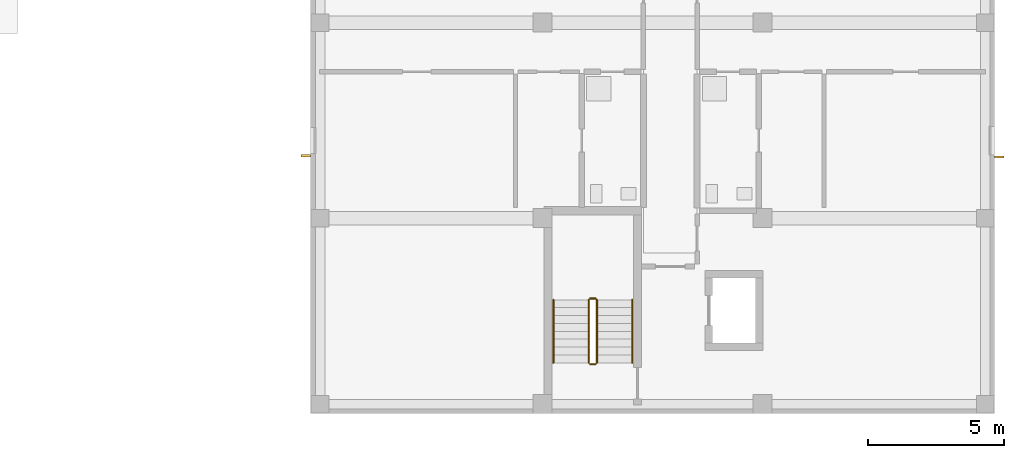
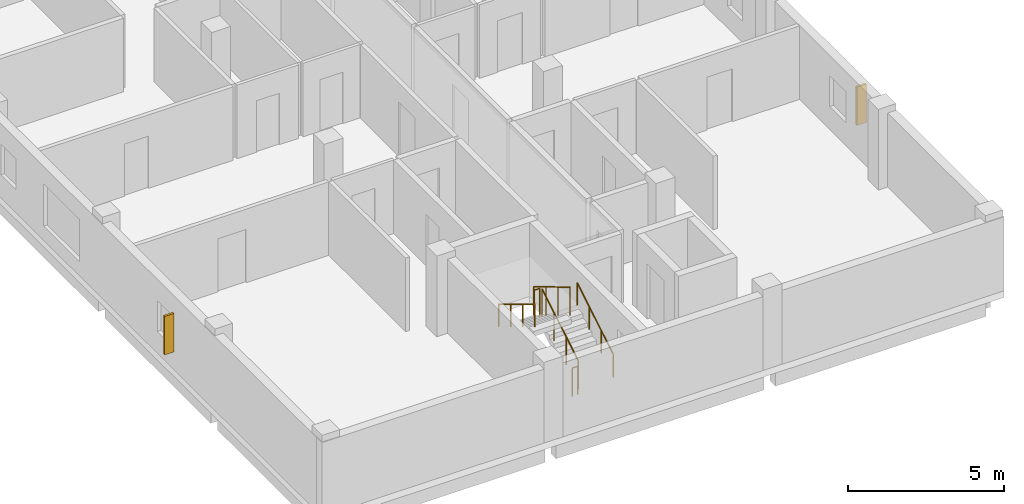
# One storey, part 45 of 51: 6 railings, 2 shading devices.
"""IFC4 building model written with IfcOpenShell, lengths in metres."""

from ifc_helpers import new_model, si_unit, derived_unit, direction, frame, origin, origin_2d, place, context, subcontext, project, spatial, rectangle, circle, extrude, material, type_object, element, save


model = new_model("IFC4")

# Units and contexts
model_context = context("Model", 3, precision=1e-05, world=origin(), true_north=direction((0.0, 1.0)))
body_context = subcontext(model_context, "Body", "Model", "MODEL_VIEW")
ifc_project = project(units=[si_unit("LENGTHUNIT", "METRE"), si_unit("AREAUNIT", "SQUARE_METRE"), si_unit("VOLUMEUNIT", "CUBIC_METRE"), si_unit("PLANEANGLEUNIT", "RADIAN"), si_unit("MASSUNIT", "GRAM", prefix="KILO"), derived_unit("THERMALTRANSMITTANCEUNIT", [(si_unit("MASSUNIT", "GRAM", prefix="KILO"), 1), (si_unit("TIMEUNIT", "SECOND"), -3), (si_unit("THERMODYNAMICTEMPERATUREUNIT", "KELVIN"), -1)])], contexts=[model_context])

# Site, building, storey
site_placement = place(None, origin())
site = spatial("IfcSite", under=ifc_project, at=site_placement, CompositionType="ELEMENT")
building_placement = place(site_placement, origin())
building = spatial("IfcBuilding", under=site, at=building_placement, Name="Ochrekiln Boulevard Commons", CompositionType="ELEMENT")
storey_placement = place(building_placement, frame((0.0, 0.0, 15.22509765625)))
storey = spatial("IfcBuildingStorey", under=building, at=storey_placement, Name="L04", CompositionType="ELEMENT", Elevation=15.22509765625)

# Railings
ifc_material_1 = material(Name="Brushed stainless steel 316 tubular railing", Category="steel")
railing_type_1 = type_object("IfcRailingType", Name="RLG-HDR-900", PredefinedType="HANDRAIL", material=ifc_material_1)
railing_1_placement = place(storey_placement, frame((159.449951171875, 1.8701171875, 0.1748046875)))
element("IfcRailing", 1, at=railing_1_placement, inside=storey, type_object=railing_type_1, Name="L04 ST-C1 stair handrail 1", PredefinedType="HANDRAIL", context=body_context, shape_type="SweptSolid", body=[
    extrude(circle(Radius=0.02392578125, at=origin_2d()), frame((0.0, 0.0, 0.8759765625), z_axis=(0.0, 0.856146426353, 0.516733293531), x_axis=(-1.0, 0.0, 0.0)), (0.0, 0.0, 1.0), 2.709716796875),
    extrude(circle(Radius=0.02099609375, at=origin_2d()), origin(), (0.0, 0.0, 1.0), 0.851806640625),
    extrude(circle(Radius=0.02099609375, at=origin_2d()), frame((0.0, 0.773193359375, 0.466796875)), (0.0, 0.0, 1.0), 0.851806640625),
    extrude(circle(Radius=0.02099609375, at=origin_2d()), frame((0.0, 1.546630859375, 0.933349609375)), (0.0, 0.0, 1.0), 0.851806640625),
    extrude(circle(Radius=0.02099609375, at=origin_2d()), frame((0.0, 2.31982421875, 1.400146484375)), (0.0, 0.0, 1.0), 0.851806640625),
])
railing_2_placement = place(storey_placement, frame((156.550048828125, 4.18994140625, 1.75)))
element("IfcRailing", 2, at=railing_2_placement, inside=storey, type_object=railing_type_1, Name="L04 ST-C1 stair handrail 2", PredefinedType="HANDRAIL", context=body_context, shape_type="SweptSolid", body=[
    extrude(circle(Radius=0.02392578125, at=origin_2d()), frame((0.0, 0.0, 0.8759765625), z_axis=(0.0, -0.856186286599, 0.516667245565), x_axis=(1.0, 0.0, 0.0)), (0.0, 0.0, 1.0), 2.70947265625),
    extrude(circle(Radius=0.02099609375, at=origin_2d()), origin(), (0.0, 0.0, 1.0), 0.851806640625),
    extrude(circle(Radius=0.02099609375, at=origin_2d()), frame((0.0, -0.773193359375, 0.466552734375)), (0.0, 0.0, 1.0), 0.851806640625),
    extrude(circle(Radius=0.02099609375, at=origin_2d()), frame((0.0, -1.546630859375, 0.933349609375)), (0.0, 0.0, 1.0), 0.851806640625),
    extrude(circle(Radius=0.02099609375, at=origin_2d()), frame((0.0, -2.31982421875, 1.39990234375)), (0.0, 0.0, 1.0), 0.851806640625),
])
railing_type_2 = type_object("IfcRailingType", Name="RLG-STR-1120", PredefinedType="BALUSTRADE", material=ifc_material_1)
railing_3_placement = place(storey_placement, frame((158.14990234375, 1.8701171875, 0.1748046875)))
element("IfcRailing", 3, at=railing_3_placement, inside=storey, type_object=railing_type_2, Name="L04 ST-C1 stair guard 1", PredefinedType="BALUSTRADE", context=body_context, shape_type="SweptSolid", body=[
    extrude(circle(Radius=0.02392578125, at=origin_2d()), frame((0.0, 0.0, 1.09619140625), z_axis=(0.0, 0.856146426353, 0.516733293531), x_axis=(-1.0, 0.0, 0.0)), (0.0, 0.0, 1.0), 2.709716796875),
    extrude(circle(Radius=0.02099609375, at=origin_2d()), origin(), (0.0, 0.0, 1.0), 1.072021484375),
    extrude(circle(Radius=0.02099609375, at=origin_2d()), frame((0.0, 0.773193359375, 0.466796875)), (0.0, 0.0, 1.0), 1.072021484375),
    extrude(circle(Radius=0.02099609375, at=origin_2d()), frame((0.0, 1.546630859375, 0.933349609375)), (0.0, 0.0, 1.0), 1.072021484375),
    extrude(circle(Radius=0.02099609375, at=origin_2d()), frame((0.0, 2.31982421875, 1.400146484375)), (0.0, 0.0, 1.0), 1.072021484375),
])
railing_4_placement = place(storey_placement, frame((158.10009765625, 4.239990234375, 1.574951171875)))
element("IfcRailing", 4, at=railing_4_placement, inside=storey, type_object=railing_type_2, Name="L04 ST-C1 stair guard 2", PredefinedType="BALUSTRADE", context=body_context, shape_type="SweptSolid", body=[
    extrude(circle(Radius=0.02392578125, at=origin_2d()), frame((0.0, 0.0, 1.09619140625), z_axis=(-1.0, 0.0, 0.0), x_axis=(0.0, -1.0, 0.0)), (0.0, 0.0, 1.0), 0.2001953125),
    extrude(circle(Radius=0.02099609375, at=origin_2d()), origin(), (0.0, 0.0, 1.0), 1.072021484375),
    extrude(circle(Radius=0.02099609375, at=origin_2d()), frame((-0.2001953125, 0.0, 0.0)), (0.0, 0.0, 1.0), 1.072021484375),
])
railing_5_placement = place(storey_placement, frame((157.85009765625, 4.18994140625, 1.75)))
element("IfcRailing", 5, at=railing_5_placement, inside=storey, type_object=railing_type_2, Name="L04 ST-C1 stair guard 3", PredefinedType="BALUSTRADE", context=body_context, shape_type="SweptSolid", body=[
    extrude(circle(Radius=0.02392578125, at=origin_2d()), frame((0.0, 0.0, 1.09619140625), z_axis=(0.0, -0.856186286599, 0.516667245565), x_axis=(1.0, 0.0, 0.0)), (0.0, 0.0, 1.0), 2.70947265625),
    extrude(circle(Radius=0.02099609375, at=origin_2d()), origin(), (0.0, 0.0, 1.0), 1.072021484375),
    extrude(circle(Radius=0.02099609375, at=origin_2d()), frame((0.0, -0.773193359375, 0.466552734375)), (0.0, 0.0, 1.0), 1.072021484375),
    extrude(circle(Radius=0.02099609375, at=origin_2d()), frame((0.0, -1.546630859375, 0.933349609375)), (0.0, 0.0, 1.0), 1.072021484375),
    extrude(circle(Radius=0.02099609375, at=origin_2d()), frame((0.0, -2.31982421875, 1.39990234375)), (0.0, 0.0, 1.0), 1.072021484375),
])
railing_6_placement = place(storey_placement, frame((158.10009765625, 1.820068359375, 0.0)))
element("IfcRailing", 6, at=railing_6_placement, inside=storey, type_object=railing_type_2, Name="L04 ST-C1 stair guard 4", PredefinedType="BALUSTRADE", context=body_context, shape_type="SweptSolid", body=[
    extrude(circle(Radius=0.02392578125, at=origin_2d()), frame((0.0, 0.0, 1.09619140625), z_axis=(-1.0, 0.0, 0.0), x_axis=(0.0, -1.0, 0.0)), (0.0, 0.0, 1.0), 0.2001953125),
    extrude(circle(Radius=0.02099609375, at=origin_2d()), origin(), (0.0, 0.0, 1.0), 1.072021484375),
    extrude(circle(Radius=0.02099609375, at=origin_2d()), frame((-0.2001953125, 0.0, 0.0)), (0.0, 0.0, 1.0), 1.072021484375),
])

# Shading devices
ifc_material_2 = material(Name="Glazed architectural terracotta ASTM C1405", Category="masonry")
shading_device_type = type_object("IfcShadingDeviceType", Name="SHD-FIN-TERRA", PredefinedType="JALOUSIE", material=ifc_material_2)
for number, where, z_axis, x_axis, name in (
    (7, (147.429931640625, 9.5009765625, 0.699951171875), (0.0, 0.0, 1.0), (1.0, 0.0, 0.0), "Terracotta Solar Shading Fin SF-01 (60)"),
    (8, (172.969970703125, 9.450927734375, 0.75), (0.0, 0.0, 1.0), (1.0, 0.0, 0.0), "Terracotta Solar Shading Fin SF-01 (61)"),
):
    element("IfcShadingDevice", number, at=place(storey_placement, frame(where, z_axis=z_axis, x_axis=x_axis)), inside=storey, type_object=shading_device_type, Name=name, PredefinedType="JALOUSIE", context=body_context, shape_type="SweptSolid", body=[
        extrude(rectangle(XDim=0.35009765625, YDim=0.080078125, at=origin_2d()), origin(), (0.0, 0.0, 1.0), 1.5),
    ])

save(model, "model.ifc")
